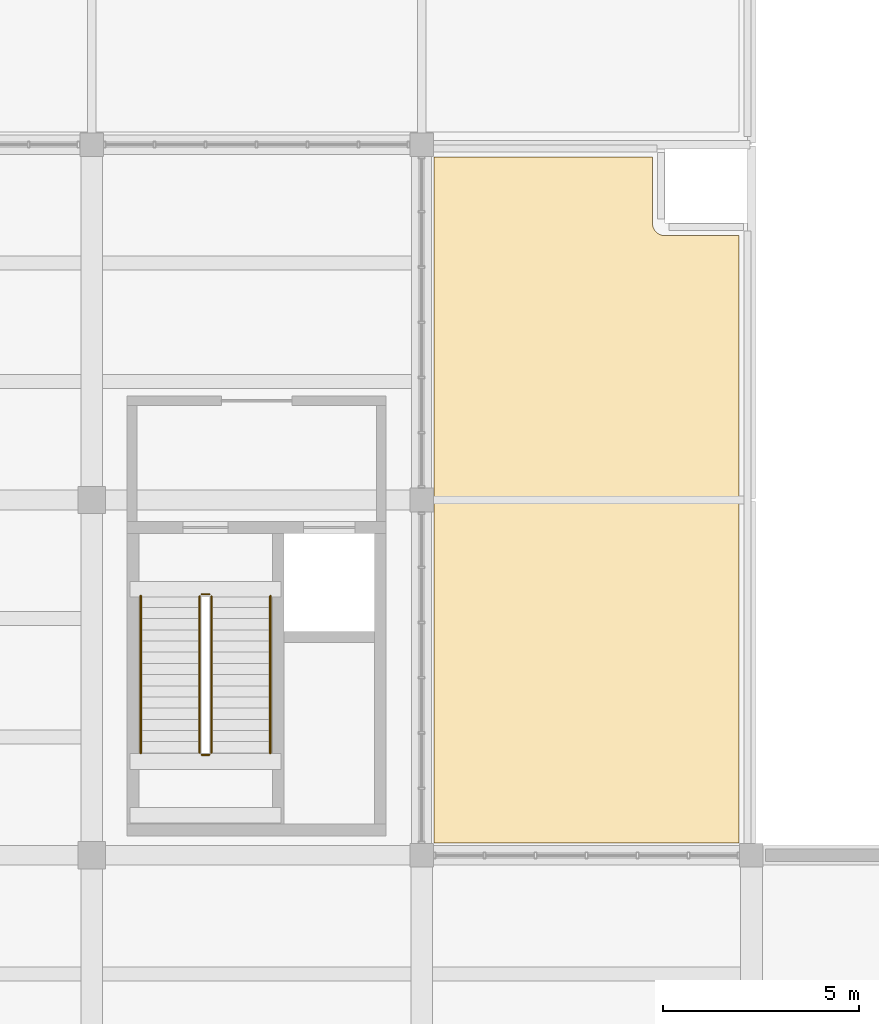
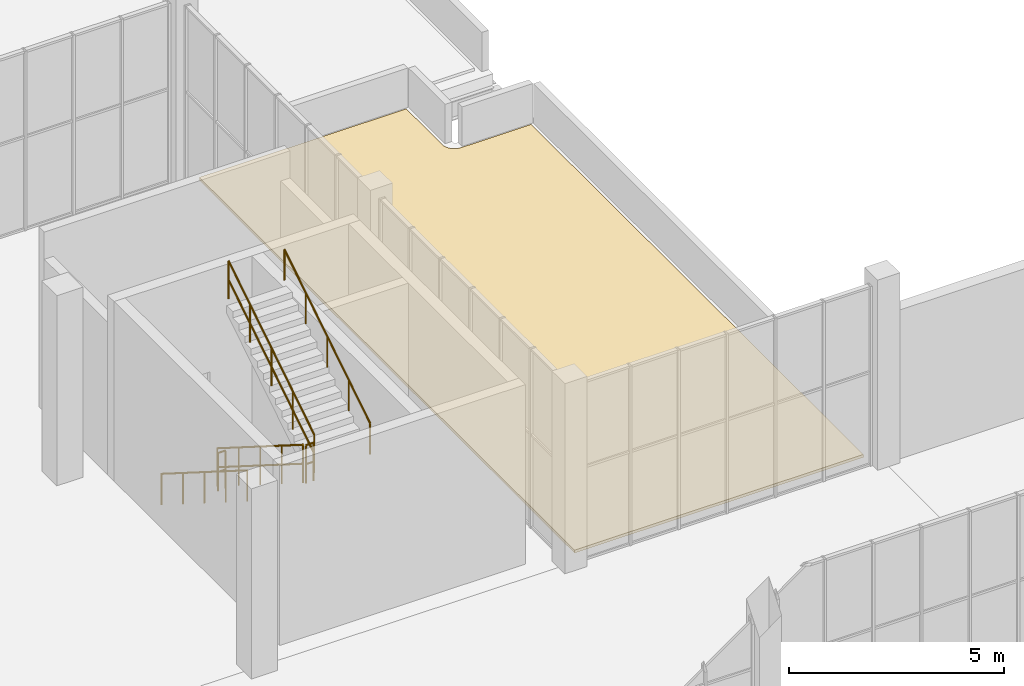
# One storey, part 130 of 132: 6 railings, 1 covering.
"""IFC4 building model written with IfcOpenShell, lengths in metres."""

from ifc_helpers import new_model, si_unit, direction, frame, origin, origin_2d, place, context, subcontext, project, spatial, polyline, circle, outline, extrude, material, layer, layer_set, type_object, element, save


model = new_model("IFC4")

# Units and contexts
model_context = context("Model", 3, precision=1e-05, world=origin(), true_north=direction((0.0, 1.0)))
body_context = subcontext(model_context, "Body", "Model", "MODEL_VIEW")
ifc_project = project(units=[si_unit("LENGTHUNIT", "METRE"), si_unit("AREAUNIT", "SQUARE_METRE"), si_unit("VOLUMEUNIT", "CUBIC_METRE"), si_unit("PLANEANGLEUNIT", "RADIAN"), si_unit("MASSUNIT", "GRAM", prefix="KILO")], contexts=[model_context])

# Site, building, storey
site_placement = place(None, origin())
site = spatial("IfcSite", under=ifc_project, at=site_placement, CompositionType="ELEMENT")
building_placement = place(site_placement, origin())
building = spatial("IfcBuilding", under=site, at=building_placement, Name="Khurvash Pelagic Aquarium", CompositionType="ELEMENT")
storey_placement = place(building_placement, frame((0.0, 0.0, 5.39990234375)))
storey = spatial("IfcBuildingStorey", under=building, at=storey_placement, Name="L01", CompositionType="ELEMENT", Elevation=5.39990234375)

# Covering
ifc_material_1 = material(Name="TPO waterproof membrane and XPS rigid insulation", Category="insulation")
ifc_layer = layer(ifc_material_1, 0.080078125)
ifc_layer_set = layer_set([ifc_layer], Name="TPO waterproof membrane and XPS rigid insulation")
covering_type = type_object("IfcCoveringType", Name="CV-RF01", PredefinedType="ROOFING", material=ifc_layer_set)
covering_placement = place(storey_placement, origin())
element("IfcCovering", 1, at=covering_placement, inside=storey, type_object=covering_type, Name="L01 Insulated TPO Roof Membrane SLB-ROOF-L01-3-1", PredefinedType="ROOFING", context=body_context, shape_type="SweptSolid", body=[
    extrude(outline(polyline([(125.679931640625, 84.3701171875), (117.919921875, 84.3701171875), (117.919921875, 101.830078125), (123.47998046875, 101.830078125), (123.47998046875, 100.14990234375), (123.48193359375, 100.118896484375), (123.486083984375, 100.087890625), (123.493896484375, 100.056884765625), (123.50390625, 100.028076171875), (123.51806640625, 99.9990234375), (123.533935546875, 99.971923828125), (123.552978515625, 99.947021484375), (123.573974609375, 99.924072265625), (123.596923828125, 99.903076171875), (123.6220703125, 99.884033203125), (123.64892578125, 99.867919921875), (123.677978515625, 99.85400390625), (123.70703125, 99.843994140625), (123.738037109375, 99.8359375), (123.76904296875, 99.83203125), (123.800048828125, 99.830078125), (125.679931640625, 99.830078125), (125.679931640625, 84.3701171875)])), origin(), (0.0, 0.0, 1.0), 0.080078125),
])

# Railings
ifc_material_2 = material(Name="Powder-coated galvanised steel S355J2", Category="steel")
railing_type_1 = type_object("IfcRailingType", Name="GR-01", PredefinedType="GUARDRAIL", material=ifc_material_2)
railing_1_placement = place(storey_placement, frame((111.949951171875, 90.64990234375, 0.18017578125)))
element("IfcRailing", 2, at=railing_1_placement, inside=storey, type_object=railing_type_1, Name="L01 ST-06 stair guard 1", PredefinedType="GUARDRAIL", context=body_context, shape_type="SweptSolid", body=[
    extrude(circle(Radius=0.02392578125, at=origin_2d()), frame((0.0, 0.0, 1.076171875), z_axis=(0.0, -0.845486444383, 0.533996884227), x_axis=(1.0, 0.0, 0.0)), (0.0, 0.0, 1.0), 4.71923828125),
    extrude(circle(Radius=0.02392578125, at=origin_2d()), frame((0.0, 0.0, 0.5380859375), z_axis=(0.0, -0.845486444383, 0.533996884227), x_axis=(1.0, 0.0, 0.0)), (0.0, 0.0, 1.0), 4.71923828125),
    extrude(circle(Radius=0.02099609375, at=origin_2d()), origin(), (0.0, 0.0, 1.0), 1.052001953125),
    extrude(circle(Radius=0.02099609375, at=origin_2d()), frame((0.0, -0.99755859375, 0.6298828125)), (0.0, 0.0, 1.0), 1.052001953125),
    extrude(circle(Radius=0.02099609375, at=origin_2d()), frame((0.0, -1.9951171875, 1.260009765625)), (0.0, 0.0, 1.0), 1.052001953125),
    extrude(circle(Radius=0.02099609375, at=origin_2d()), frame((0.0, -2.992431640625, 1.89013671875)), (0.0, 0.0, 1.0), 1.052001953125),
    extrude(circle(Radius=0.02099609375, at=origin_2d()), frame((0.0, -3.989990234375, 2.52001953125)), (0.0, 0.0, 1.0), 1.052001953125),
])
railing_2_placement = place(storey_placement, frame((112.0, 86.610107421875, 2.7001953125)))
element("IfcRailing", 3, at=railing_2_placement, inside=storey, type_object=railing_type_1, Name="L01 ST-06 stair guard 2", PredefinedType="GUARDRAIL", context=body_context, shape_type="SweptSolid", body=[
    extrude(circle(Radius=0.02392578125, at=origin_2d()), frame((0.0, 0.0, 1.076171875), z_axis=(1.0, 0.0, 0.0), x_axis=(0.0, 1.0, 0.0)), (0.0, 0.0, 1.0), 0.199951171875),
    extrude(circle(Radius=0.02392578125, at=origin_2d()), frame((0.0, 0.0, 0.5380859375), z_axis=(1.0, 0.0, 0.0), x_axis=(0.0, 1.0, 0.0)), (0.0, 0.0, 1.0), 0.199951171875),
    extrude(circle(Radius=0.02099609375, at=origin_2d()), origin(), (0.0, 0.0, 1.0), 1.052001953125),
    extrude(circle(Radius=0.02099609375, at=origin_2d()), frame((0.199951171875, 0.0, 0.0)), (0.0, 0.0, 1.0), 1.052001953125),
])
railing_3_placement = place(storey_placement, frame((112.25, 86.659912109375, 2.880126953125)))
element("IfcRailing", 4, at=railing_3_placement, inside=storey, type_object=railing_type_1, Name="L01 ST-06 stair guard 3", PredefinedType="GUARDRAIL", context=body_context, shape_type="SweptSolid", body=[
    extrude(circle(Radius=0.02392578125, at=origin_2d()), frame((0.0, 0.0, 1.076171875), z_axis=(0.0, 0.845486444383, 0.533996884227), x_axis=(-1.0, 0.0, 0.0)), (0.0, 0.0, 1.0), 4.71923828125),
    extrude(circle(Radius=0.02392578125, at=origin_2d()), frame((0.0, 0.0, 0.5380859375), z_axis=(0.0, 0.845486444383, 0.533996884227), x_axis=(-1.0, 0.0, 0.0)), (0.0, 0.0, 1.0), 4.71923828125),
    extrude(circle(Radius=0.02099609375, at=origin_2d()), origin(), (0.0, 0.0, 1.0), 1.052001953125),
    extrude(circle(Radius=0.02099609375, at=origin_2d()), frame((0.0, 0.99755859375, 0.6298828125)), (0.0, 0.0, 1.0), 1.052001953125),
    extrude(circle(Radius=0.02099609375, at=origin_2d()), frame((0.0, 1.9951171875, 1.260009765625)), (0.0, 0.0, 1.0), 1.052001953125),
    extrude(circle(Radius=0.02099609375, at=origin_2d()), frame((0.0, 2.992431640625, 1.89013671875)), (0.0, 0.0, 1.0), 1.052001953125),
    extrude(circle(Radius=0.02099609375, at=origin_2d()), frame((0.0, 3.989990234375, 2.52001953125)), (0.0, 0.0, 1.0), 1.052001953125),
])
railing_4_placement = place(storey_placement, frame((112.0, 90.699951171875, 0.0)))
element("IfcRailing", 5, at=railing_4_placement, inside=storey, type_object=railing_type_1, Name="L01 ST-06 stair guard 4", PredefinedType="GUARDRAIL", context=body_context, shape_type="SweptSolid", body=[
    extrude(circle(Radius=0.02392578125, at=origin_2d()), frame((0.0, 0.0, 1.076171875), z_axis=(1.0, 0.0, 0.0), x_axis=(0.0, 1.0, 0.0)), (0.0, 0.0, 1.0), 0.199951171875),
    extrude(circle(Radius=0.02392578125, at=origin_2d()), frame((0.0, 0.0, 0.5380859375), z_axis=(1.0, 0.0, 0.0), x_axis=(0.0, 1.0, 0.0)), (0.0, 0.0, 1.0), 0.199951171875),
    extrude(circle(Radius=0.02099609375, at=origin_2d()), origin(), (0.0, 0.0, 1.0), 1.052001953125),
    extrude(circle(Radius=0.02099609375, at=origin_2d()), frame((0.199951171875, 0.0, 0.0)), (0.0, 0.0, 1.0), 1.052001953125),
])
ifc_material_3 = material(Name="Brushed stainless steel 316", Category="steel")
railing_type_2 = type_object("IfcRailingType", Name="HR-01", PredefinedType="HANDRAIL", material=ifc_material_3)
railing_5_placement = place(storey_placement, frame((110.449951171875, 90.64990234375, 0.18017578125)))
element("IfcRailing", 6, at=railing_5_placement, inside=storey, type_object=railing_type_2, Name="L01 ST-06 stair handrail 1", PredefinedType="HANDRAIL", context=body_context, shape_type="SweptSolid", body=[
    extrude(circle(Radius=0.02392578125, at=origin_2d()), frame((0.0, 0.0, 0.8759765625), z_axis=(0.0, -0.845486444383, 0.533996884227), x_axis=(1.0, 0.0, 0.0)), (0.0, 0.0, 1.0), 4.71923828125),
    extrude(circle(Radius=0.02099609375, at=origin_2d()), origin(), (0.0, 0.0, 1.0), 0.851806640625),
    extrude(circle(Radius=0.02099609375, at=origin_2d()), frame((0.0, -0.99755859375, 0.6298828125)), (0.0, 0.0, 1.0), 0.851806640625),
    extrude(circle(Radius=0.02099609375, at=origin_2d()), frame((0.0, -1.9951171875, 1.260009765625)), (0.0, 0.0, 1.0), 0.851806640625),
    extrude(circle(Radius=0.02099609375, at=origin_2d()), frame((0.0, -2.992431640625, 1.89013671875)), (0.0, 0.0, 1.0), 0.851806640625),
    extrude(circle(Radius=0.02099609375, at=origin_2d()), frame((0.0, -3.989990234375, 2.52001953125)), (0.0, 0.0, 1.0), 0.851806640625),
])
railing_6_placement = place(storey_placement, frame((113.75, 86.659912109375, 2.880126953125)))
element("IfcRailing", 7, at=railing_6_placement, inside=storey, type_object=railing_type_2, Name="L01 ST-06 stair handrail 2", PredefinedType="HANDRAIL", context=body_context, shape_type="SweptSolid", body=[
    extrude(circle(Radius=0.02392578125, at=origin_2d()), frame((0.0, 0.0, 0.8759765625), z_axis=(0.0, 0.845486444383, 0.533996884227), x_axis=(-1.0, 0.0, 0.0)), (0.0, 0.0, 1.0), 4.71923828125),
    extrude(circle(Radius=0.02099609375, at=origin_2d()), origin(), (0.0, 0.0, 1.0), 0.851806640625),
    extrude(circle(Radius=0.02099609375, at=origin_2d()), frame((0.0, 0.99755859375, 0.6298828125)), (0.0, 0.0, 1.0), 0.851806640625),
    extrude(circle(Radius=0.02099609375, at=origin_2d()), frame((0.0, 1.9951171875, 1.260009765625)), (0.0, 0.0, 1.0), 0.851806640625),
    extrude(circle(Radius=0.02099609375, at=origin_2d()), frame((0.0, 2.992431640625, 1.89013671875)), (0.0, 0.0, 1.0), 0.851806640625),
    extrude(circle(Radius=0.02099609375, at=origin_2d()), frame((0.0, 3.989990234375, 2.52001953125)), (0.0, 0.0, 1.0), 0.851806640625),
])

save(model, "model.ifc")
